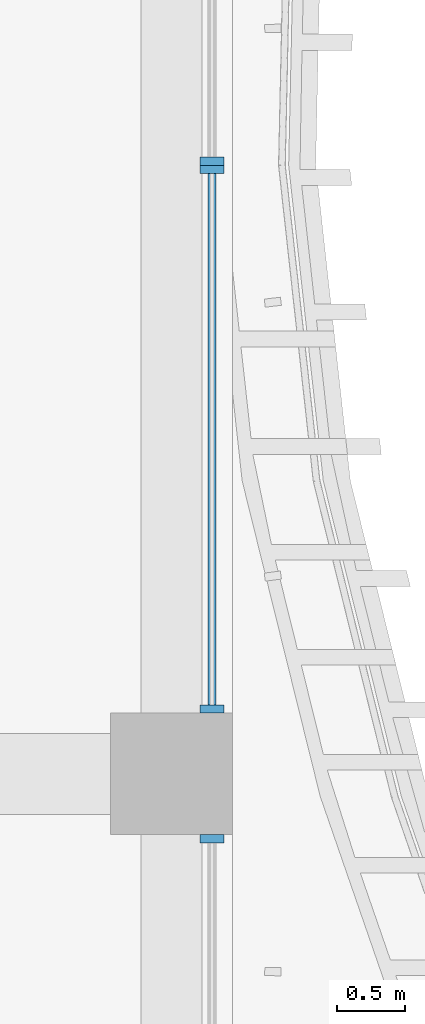
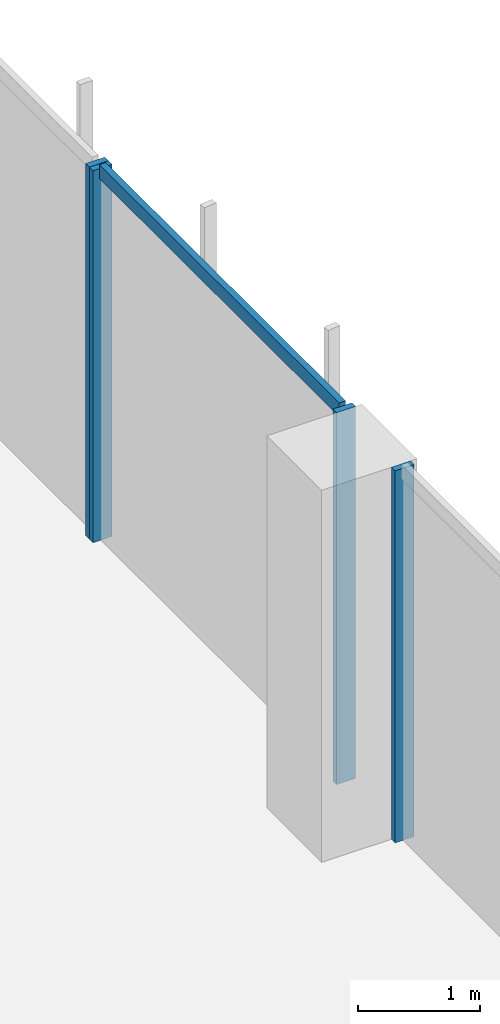
# One storey, part 6 of 24: 5 members, 3 elements without a shape of their own.
"""IFC4 building model written with IfcOpenShell, lengths in metres."""

import ifcopenshell
import ifcopenshell.guid

model = None  # the IFC model being written
_history = None  # IfcOwnerHistory: only IFC2X3 demands one
_inside = {}  # id of a spatial element -> (the spatial element, [elements in it])
_under = {}  # id of a project, library or spatial element -> (it, [spatial elements below it])
_declared = {}  # id of a project -> (the project, [libraries it declares])
_typed = {}  # id of a type object -> (the type object, [elements of that type])
_made_of = {}  # id of a material, layer set ... -> (it, [elements and type objects made of it])


def new_model(schema):
    """Start an empty IFC model of exactly this schema.

    Asked for "IFC4X3", IfcOpenShell would pick the latest addendum, in which some entities
    have other attributes; the version numbers below select the first issue.
    IFC2X3 requires an IfcOwnerHistory on every rooted entity: one is made here for all.
    """
    global model, _history
    if schema == "IFC4X3":
        model = ifcopenshell.file(schema_version=(4, 3, 0, 0))
    else:
        model = ifcopenshell.file(schema=schema)
    _inside.clear()
    _under.clear()
    _declared.clear()
    _typed.clear()
    _made_of.clear()
    _history = None
    if model.schema == "IFC2X3":
        org = make("IfcOrganization", Name="unknown")
        user = make(
            "IfcPersonAndOrganization",
            ThePerson=make("IfcPerson", FamilyName="unknown"),
            TheOrganization=org,
        )
        app = make(
            "IfcApplication",
            ApplicationDeveloper=org,
            Version="unknown",
            ApplicationFullName="unknown",
            ApplicationIdentifier="unknown",
        )
        _history = make(
            "IfcOwnerHistory",
            OwningUser=user,
            OwningApplication=app,
            ChangeAction="ADDED",
            CreationDate=0,
        )
    return model


def make(cls, **values):
    """One entity of the class cls with the attributes given. An attribute that is None is left unset."""
    return model.create_entity(
        cls, **{name: value for name, value in values.items() if value is not None}
    )


def rooted(cls, **values):
    """An entity with a GlobalId (a new one), such as an element, a storey or a relation."""
    return make(cls, GlobalId=ifcopenshell.guid.new(), OwnerHistory=_history, **values)


def si_unit(unit_type, name, prefix=None):
    """IfcSIUnit, for example si_unit("LENGTHUNIT", "METRE", prefix="MILLI")."""
    return make("IfcSIUnit", UnitType=unit_type, Prefix=prefix, Name=name)


def assignment(units):
    """IfcUnitAssignment: the units of a project."""
    return None if units is None else make("IfcUnitAssignment", Units=units)


def point(xyz):
    """IfcCartesianPoint."""
    return None if xyz is None else make("IfcCartesianPoint", Coordinates=xyz)


def direction(xyz):
    """IfcDirection."""
    return None if xyz is None else make("IfcDirection", DirectionRatios=xyz)


def frame(location, z_axis=None, x_axis=None):
    """IfcAxis2Placement3D, a coordinate frame: its origin and axes. An axis left out is left unset."""
    return make(
        "IfcAxis2Placement3D",
        Location=point(location),
        Axis=direction(z_axis),
        RefDirection=direction(x_axis),
    )


def frame_2d(location, x_axis=None):
    """IfcAxis2Placement2D, a coordinate frame in the plane: its origin and x axis."""
    return make(
        "IfcAxis2Placement2D", Location=point(location), RefDirection=direction(x_axis)
    )


def origin():
    """The frame at (0, 0, 0) with its axes left unset."""
    return frame((0.0, 0.0, 0.0))


def origin_2d():
    """The frame at (0, 0) in the plane with its x axis left unset."""
    return frame_2d((0.0, 0.0))


def place(relative_to, where):
    """IfcLocalPlacement: puts the frame where relative to a parent placement (None: the world)."""
    return make(
        "IfcLocalPlacement", PlacementRelTo=relative_to, RelativePlacement=where
    )


def context(
    kind, dimensions, precision=None, world=None, true_north=None, identifier=None
):
    """IfcGeometricRepresentationContext, for example the 3D "Model" context."""
    return make(
        "IfcGeometricRepresentationContext",
        ContextIdentifier=identifier,
        ContextType=kind,
        CoordinateSpaceDimension=dimensions,
        Precision=precision,
        WorldCoordinateSystem=world,
        TrueNorth=true_north,
    )


def subcontext(parent, identifier, kind, view, scale=None):
    """IfcGeometricRepresentationSubContext, for example "Body" below "Model"."""
    return make(
        "IfcGeometricRepresentationSubContext",
        ContextIdentifier=identifier,
        ContextType=kind,
        ParentContext=parent,
        TargetScale=scale,
        TargetView=view,
    )


def project(units=None, contexts=None):
    """IfcProject with its units and contexts."""
    return rooted(
        "IfcProject",
        Name="project",
        RepresentationContexts=contexts,
        UnitsInContext=assignment(units),
    )


def spatial(cls, under=None, at=None, **own):
    """A site, building, storey or space (cls), placed at a placement, below another one or the project."""
    s = rooted(cls, ObjectPlacement=at, **own)
    if under is not None:
        _under.setdefault(under.id(), (under, []))[1].append(s)
    return s


def profile(cls, at=None, kind="AREA", **sizes):
    """A parametric profile (cls). Its sizes go by their IFC names, for example OverallWidth=200.0."""
    return make(cls, ProfileType=kind, Position=at, **sizes)


def rectangle(**sizes):
    """IfcRectangleProfileDef."""
    return profile("IfcRectangleProfileDef", **sizes)


def extrude(swept, where, along, depth):
    """IfcExtrudedAreaSolid: the profile swept, set in the frame where, extruded along a direction by depth."""
    return make(
        "IfcExtrudedAreaSolid",
        SweptArea=swept,
        Position=where,
        ExtrudedDirection=direction(along),
        Depth=depth,
    )


def shape(context_of_items, identifier, shape_type, items):
    """IfcShapeRepresentation: the items that make up one representation, for example the "Body"."""
    return make(
        "IfcShapeRepresentation",
        ContextOfItems=context_of_items,
        RepresentationIdentifier=identifier,
        RepresentationType=shape_type,
        Items=items,
    )


def source(mapping_origin, context_of_items, identifier, shape_type, items):
    """IfcRepresentationMap: a shape defined once, which mapped items show again and again."""
    return make(
        "IfcRepresentationMap",
        MappingOrigin=mapping_origin,
        MappedRepresentation=shape(context_of_items, identifier, shape_type, items),
    )


def transform(
    local_origin,
    x_axis=None,
    y_axis=None,
    z_axis=None,
    scale=None,
    scale2=None,
    scale3=None,
    uniform=True,
):
    """IfcCartesianTransformationOperator3D, or its non-uniform kind. x_axis, y_axis, z_axis: its Axis1, 2, 3."""
    if uniform:
        return make(
            "IfcCartesianTransformationOperator3D",
            Axis1=direction(x_axis),
            Axis2=direction(y_axis),
            LocalOrigin=point(local_origin),
            Scale=scale,
            Axis3=direction(z_axis),
        )
    return make(
        "IfcCartesianTransformationOperator3DnonUniform",
        Axis1=direction(x_axis),
        Axis2=direction(y_axis),
        LocalOrigin=point(local_origin),
        Scale=scale,
        Axis3=direction(z_axis),
        Scale2=scale2,
        Scale3=scale3,
    )


def mapped(mapping_source, mapping_target):
    """IfcMappedItem: shows the shape of a source again, moved by a transform."""
    return make(
        "IfcMappedItem", MappingSource=mapping_source, MappingTarget=mapping_target
    )


def material(Name=None, Category=None):
    """IfcMaterial."""
    return make("IfcMaterial", Name=Name, Category=Category)


def material_profile(
    of_material, cross_section, Name=None, Category=None, Priority=None
):
    """IfcMaterialProfile: a cross section and its material."""
    return make(
        "IfcMaterialProfile",
        Name=Name,
        Material=of_material,
        Profile=cross_section,
        Priority=Priority,
        Category=Category,
    )


def profile_set(profiles, Name=None, composite=None):
    """IfcMaterialProfileSet."""
    return make(
        "IfcMaterialProfileSet",
        Name=Name,
        MaterialProfiles=profiles,
        CompositeProfile=composite,
    )


def made_of(thing, what):
    """Note that an element or type object is made of a material, layer set ...; save() writes the relation."""
    if what is not None:
        _made_of.setdefault(what.id(), (what, []))[1].append(thing)
    return thing


def type_object(cls, material=None, **own):
    """A type object (cls), such as IfcWallType, which elements share."""
    return made_of(rooted(cls, **own), material)


def element(
    cls,
    number,
    at=None,
    inside=None,
    cuts=None,
    type_object=None,
    material=None,
    context=None,
    identifier="Body",
    shape_type=None,
    held_by="IfcProductDefinitionShape",
    body=None,
    shapes=None,
    **own,
):
    """One element of the class cls, such as IfcWall. Its Tag is "e" and its number.

    at: its placement. inside: the storey or other place that contains it. cuts: it is an
    opening in that element (IfcRelVoidsElement). A single representation is given by context,
    identifier, shape_type and body (its items); several are given by shapes. held_by: the class
    of the entity that holds the representations. save() writes the other relations.
    """
    e = rooted(cls, Tag="e%d" % number, ObjectPlacement=at, **own)
    if body is not None:
        shapes = [shape(context, identifier, shape_type, body)]
    if shapes is not None:
        e.Representation = make(held_by, Representations=shapes)
    if inside is not None:
        _inside.setdefault(inside.id(), (inside, []))[1].append(e)
    if cuts is not None:
        rooted(
            "IfcRelVoidsElement", RelatingBuildingElement=cuts, RelatedOpeningElement=e
        )
    if type_object is not None:
        _typed.setdefault(type_object.id(), (type_object, []))[1].append(e)
    return made_of(e, material)


def aggregate(whole, parts):
    """IfcRelAggregates: a whole, such as a stair, and the parts it consists of."""
    return rooted("IfcRelAggregates", RelatingObject=whole, RelatedObjects=parts)


def save(model, path):
    """Write the relations noted so far, then the file.

    IfcRelAggregates (storeys below a building ...), IfcRelContainedInSpatialStructure (elements
    in a storey), IfcRelDefinesByType, IfcRelAssociatesMaterial and IfcRelDeclares: one each for
    every whole, place, type object, material and project.
    """
    for whole, parts in _under.values():
        aggregate(whole, parts)
    for where, things in _inside.values():
        rooted(
            "IfcRelContainedInSpatialStructure",
            RelatedElements=things,
            RelatingStructure=where,
        )
    for kind, things in _typed.values():
        rooted("IfcRelDefinesByType", RelatedObjects=things, RelatingType=kind)
    for what, things in _made_of.values():
        rooted("IfcRelAssociatesMaterial", RelatedObjects=things, RelatingMaterial=what)
    for by, libraries in _declared.values():
        rooted("IfcRelDeclares", RelatingContext=by, RelatedDefinitions=libraries)
    model.write(path)


model = new_model("IFC4")

# Units and contexts
model_context = context("Model", 3, precision=1e-05, world=origin(), true_north=direction((0.0, 1.0)))
body_context = subcontext(model_context, "Body", "Model", "MODEL_VIEW")
ifc_project = project(units=[si_unit("LENGTHUNIT", "METRE"), si_unit("AREAUNIT", "SQUARE_METRE"), si_unit("VOLUMEUNIT", "CUBIC_METRE"), si_unit("PLANEANGLEUNIT", "RADIAN"), si_unit("MASSUNIT", "GRAM", prefix="KILO")], contexts=[model_context])

# Site, building, storey
site_placement = place(None, origin())
site = spatial("IfcSite", under=ifc_project, at=site_placement, CompositionType="ELEMENT")
building_placement = place(site_placement, origin())
building = spatial("IfcBuilding", under=site, at=building_placement, Name="Kilnfold Tower and Market Hall", CompositionType="ELEMENT")
storey_placement = place(building_placement, frame((0.0, 0.0, 35.0)))
storey = spatial("IfcBuildingStorey", under=building, at=storey_placement, Name="L07", CompositionType="ELEMENT", Elevation=35.0)

# Curtain wall, member
ifc_material_1 = material(Name="Aluminium and double glazing", Category="aluminium")
curtain_wall_type = type_object("IfcCurtainWallType", Name="CW OF1 VALLEY GLAZING", PredefinedType="NOTDEFINED", material=ifc_material_1)
curtain_wall_1_placement = place(storey_placement, origin())
curtain_wall_1 = element("IfcCurtainWall", 1, at=curtain_wall_1_placement, inside=storey, type_object=curtain_wall_type, Name="Curtain wall CW1 L07 E", PredefinedType="NOTDEFINED")
ifc_material_2 = material(Name="Aluminium", Category="aluminium")
ifc_material_profile_1 = material_profile(ifc_material_2, rectangle(XDim=0.06005859375, YDim=0.179931640625, at=origin_2d()), Name="MULLION 60x180")
ifc_profile_set_1 = profile_set([ifc_material_profile_1], Name="Aluminium")
member_type_1 = type_object("IfcMemberType", Name="MULLION 60X180", PredefinedType="MULLION", material=ifc_profile_set_1)
shared_shape_1 = source(origin(), body_context, "Body", "SweptSolid", [
    extrude(rectangle(XDim=0.06005859375, YDim=0.179931640625, at=origin_2d()), origin(), (0.0, 0.0, 1.0), 3.719970703125),
])
member_1_placement = place(storey_placement, frame((27.85009765625, -1.47998046875, 0.0), z_axis=(0.0, 0.0, 1.0), x_axis=(0.0, 1.0, 0.0)))
member_1 = element("IfcMember", 2, at=member_1_placement, type_object=member_type_1, Name="CW1 mullion 2", PredefinedType="MULLION", context=body_context, shape_type="MappedRepresentation", body=[
    mapped(shared_shape_1, transform((0.0, 0.0, 0.0))),
])
aggregate(curtain_wall_1, [member_1])

# Curtain wall, members
curtain_wall_2_placement = place(storey_placement, origin())
curtain_wall_2 = element("IfcCurtainWall", 3, at=curtain_wall_2_placement, inside=storey, type_object=curtain_wall_type, Name="Curtain wall CW1 L07 E", PredefinedType="NOTDEFINED")
member_2_placement = place(storey_placement, frame((27.85009765625, -0.52001953125, 0.0), z_axis=(0.0, 0.0, 1.0), x_axis=(0.0, 1.0, 0.0)))
member_2 = element("IfcMember", 4, at=member_2_placement, type_object=member_type_1, Name="CW1 mullion 1", PredefinedType="MULLION", context=body_context, shape_type="MappedRepresentation", body=[
    mapped(shared_shape_1, transform((0.0, 0.0, 0.0))),
])
member_3_placement = place(storey_placement, frame((27.85009765625, 3.469970703125, 0.0), z_axis=(0.0, 0.0, 1.0), x_axis=(0.0, 1.0, 0.0)))
member_3 = element("IfcMember", 5, at=member_3_placement, type_object=member_type_1, Name="CW1 mullion 2", PredefinedType="MULLION", context=body_context, shape_type="MappedRepresentation", body=[
    mapped(shared_shape_1, transform((0.0, 0.0, 0.0))),
])

# Curtain wall, member
curtain_wall_3_placement = place(storey_placement, origin())
curtain_wall_3 = element("IfcCurtainWall", 6, at=curtain_wall_3_placement, inside=storey, type_object=curtain_wall_type, Name="Curtain wall CW1 L07 E", PredefinedType="NOTDEFINED")
member_4_placement = place(storey_placement, frame((27.85009765625, 3.530029296875, 0.0), z_axis=(0.0, 0.0, 1.0), x_axis=(0.0, 1.0, 0.0)))
member_4 = element("IfcMember", 7, at=member_4_placement, type_object=member_type_1, Name="CW1 mullion 1", PredefinedType="MULLION", context=body_context, shape_type="MappedRepresentation", body=[
    mapped(shared_shape_1, transform((0.0, 0.0, 0.0))),
])
aggregate(curtain_wall_3, [member_4])

# Member
ifc_material_3 = material(Name="Aluminium", Category="aluminium")
ifc_material_profile_2 = material_profile(ifc_material_3, rectangle(XDim=0.06005859375, YDim=0.139892578125, at=origin_2d()), Name="TRANSOM 60x140")
ifc_profile_set_2 = profile_set([ifc_material_profile_2], Name="Aluminium")
member_type_2 = type_object("IfcMemberType", Name="TRANSOM 60X140", PredefinedType="USERDEFINED", material=ifc_profile_set_2)
shared_shape_2 = source(origin(), body_context, "Body", "SweptSolid", [
    extrude(rectangle(XDim=0.06005859375, YDim=0.139892578125, at=origin_2d()), origin(), (0.0, 0.0, 1.0), 3.929931640625),
])
member_5_placement = place(storey_placement, frame((27.85009765625, -0.489990234375, 3.68994140625), z_axis=(0.0, 1.0, 0.0), x_axis=(-1.0, 0.0, 0.0)))
member_5 = element("IfcMember", 8, at=member_5_placement, type_object=member_type_2, Name="CW1 transom 1.2", ObjectType="TRANSOM", PredefinedType="USERDEFINED", context=body_context, shape_type="MappedRepresentation", body=[
    mapped(shared_shape_2, transform((0.0, 0.0, 0.0))),
])

aggregate(curtain_wall_2, [member_2, member_3, member_5])

save(model, "model.ifc")
